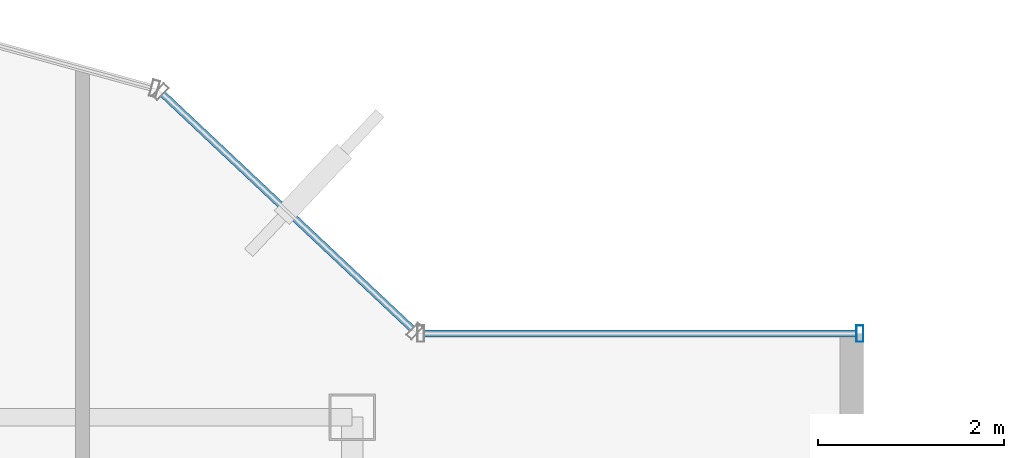
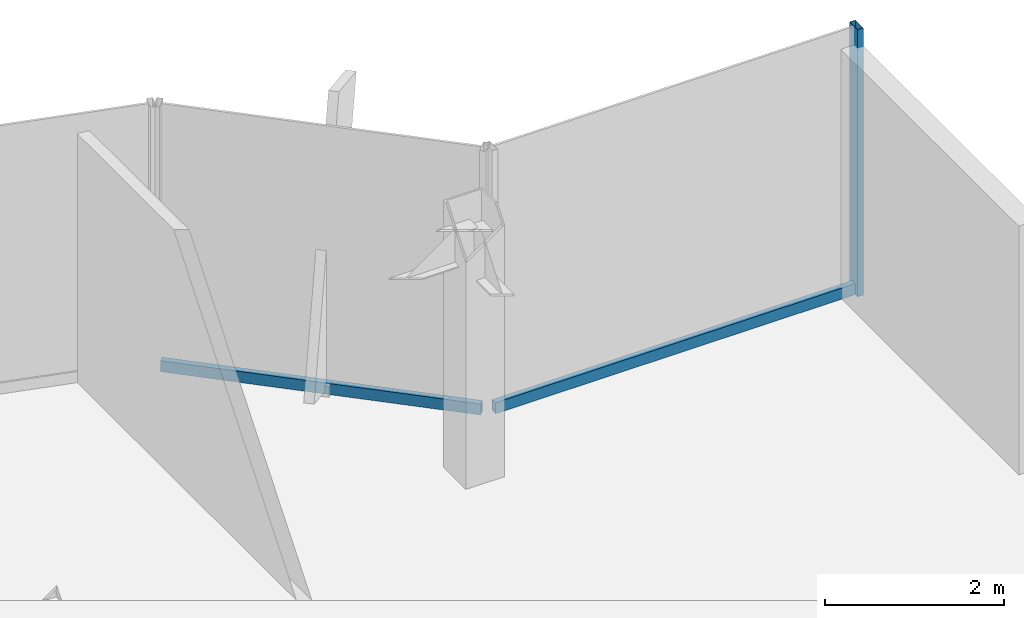
# One storey, part 15 of 22: 3 members, 2 elements without a shape of their own.
"""IFC4 building model written with IfcOpenShell, lengths in metres."""

from ifc_helpers import new_model, si_unit, derived_unit, direction, frame, origin, origin_2d, place, context, subcontext, project, spatial, hollow_rectangle, extrude, source, transform, mapped, material, material_profile, profile_set, type_object, element, aggregate, save


model = new_model("IFC4")

# Units and contexts
model_context = context("Model", 3, precision=1e-05, world=origin(), true_north=direction((0.0, 1.0)))
body_context = subcontext(model_context, "Body", "Model", "MODEL_VIEW")
ifc_project = project(units=[si_unit("LENGTHUNIT", "METRE"), si_unit("AREAUNIT", "SQUARE_METRE"), si_unit("VOLUMEUNIT", "CUBIC_METRE"), si_unit("PLANEANGLEUNIT", "RADIAN"), si_unit("MASSUNIT", "GRAM", prefix="KILO"), derived_unit("THERMALTRANSMITTANCEUNIT", [(si_unit("POWERUNIT", "WATT"), 1), (si_unit("LENGTHUNIT", "METRE"), -2), (si_unit("THERMODYNAMICTEMPERATUREUNIT", "KELVIN"), -1)])], contexts=[model_context])

# Site, building, storey
site_placement = place(None, origin())
site = spatial("IfcSite", under=ifc_project, at=site_placement, CompositionType="ELEMENT")
building_placement = place(site_placement, origin())
building = spatial("IfcBuilding", under=site, at=building_placement, Name="Skarnbrae Concourse Arena and Tower", CompositionType="ELEMENT")
storey_placement = place(building_placement, frame((0.0, 0.0, 269.75)))
storey = spatial("IfcBuildingStorey", under=building, at=storey_placement, Name="L70", CompositionType="ELEMENT", Elevation=269.75)

# Curtain wall, members
ifc_material = material(Name="Bronze anodised aluminium 6063-T6", Category="aluminium")
curtain_wall_type = type_object("IfcCurtainWallType", Name="CW-SYS-05-HIGHZONE", PredefinedType="USERDEFINED", material=ifc_material)
curtain_wall_1_placement = place(storey_placement, origin())
curtain_wall_1 = element("IfcCurtainWall", 1, at=curtain_wall_1_placement, inside=storey, type_object=curtain_wall_type, Name="L70 Unitised curtain wall CW-L70-E07", ObjectType="UNITISED CURTAIN WALL", PredefinedType="USERDEFINED")
ifc_material_profile_1 = material_profile(ifc_material, hollow_rectangle(XDim=0.074951171875, YDim=0.179931640625, WallThickness=0.00390625, at=origin_2d()), Name="ALU-MULL-75X180")
ifc_profile_set_1 = profile_set([ifc_material_profile_1], Name="Bronze anodised aluminium 6063-T6")
member_type_1 = type_object("IfcMemberType", Name="CWM-CW-05", PredefinedType="MULLION", material=ifc_profile_set_1)
shared_shape_1 = source(origin(), body_context, "Body", "SweptSolid", [
    extrude(hollow_rectangle(XDim=0.074951171875, YDim=0.179931640625, WallThickness=0.00390625, at=origin_2d()), origin(), (0.0, 0.0, 1.0), 3.64990234375),
])
member_1_placement = place(storey_placement, frame((38.96240234375, 35.300048828125, 0.0), z_axis=(0.0, 0.0, 1.0), x_axis=(-1.0, 0.0, 0.0)))
member_1 = element("IfcMember", 2, at=member_1_placement, type_object=member_type_1, Name="CW-L70-E07 Mullion 1", PredefinedType="MULLION", context=body_context, shape_type="MappedRepresentation", body=[
    mapped(shared_shape_1, transform((0.0, 0.0, 0.0))),
])
ifc_material_profile_2 = material_profile(ifc_material, hollow_rectangle(XDim=0.074951171875, YDim=0.14990234375, WallThickness=0.00390625, at=origin_2d()), Name="ALU-TRAN-75X150")
ifc_profile_set_2 = profile_set([ifc_material_profile_2], Name="Bronze anodised aluminium 6063-T6")
member_type_2 = type_object("IfcMemberType", Name="CWT-CW-05", PredefinedType="USERDEFINED", material=ifc_profile_set_2)
shared_shape_2 = source(origin(), body_context, "Body", "SweptSolid", [
    extrude(hollow_rectangle(XDim=0.074951171875, YDim=0.14990234375, WallThickness=0.00390625, at=origin_2d()), origin(), (0.0, 0.0, 1.0), 4.650146484375),
])
member_2_placement = place(storey_placement, frame((38.925048828125, 35.300048828125, 0.074951171875), z_axis=(-1.0, 0.0, 0.0), x_axis=(0.0, -1.0, 0.0)))
member_2 = element("IfcMember", 3, at=member_2_placement, type_object=member_type_2, Name="CW-L70-E07 Transom 1", ObjectType="TRANSOM", PredefinedType="USERDEFINED", context=body_context, shape_type="MappedRepresentation", body=[
    mapped(shared_shape_2, transform((0.0, 0.0, 0.0))),
])
aggregate(curtain_wall_1, [member_1, member_2])

# Curtain wall, member
curtain_wall_2_placement = place(storey_placement, origin())
curtain_wall_2 = element("IfcCurtainWall", 4, at=curtain_wall_2_placement, inside=storey, type_object=curtain_wall_type, Name="L70 Unitised curtain wall CW-L70-E08", ObjectType="UNITISED CURTAIN WALL", PredefinedType="USERDEFINED")
shared_shape_3 = source(origin(), body_context, "Body", "SweptSolid", [
    extrude(hollow_rectangle(XDim=0.074951171875, YDim=0.14990234375, WallThickness=0.00390625, at=origin_2d()), origin(), (0.0, 0.0, 1.0), 3.68212890625),
])
member_3_placement = place(storey_placement, frame((34.1455078125, 35.351318359375, 0.074951171875), z_axis=(-0.728133808476, 0.685435012933, 0.0), x_axis=(-0.685435012933, -0.728133808476, 0.0)))
member_3 = element("IfcMember", 5, at=member_3_placement, type_object=member_type_2, Name="CW-L70-E08 Transom 1", ObjectType="TRANSOM", PredefinedType="USERDEFINED", context=body_context, shape_type="MappedRepresentation", body=[
    mapped(shared_shape_3, transform((0.0, 0.0, 0.0))),
])
aggregate(curtain_wall_2, [member_3])

save(model, "model.ifc")
